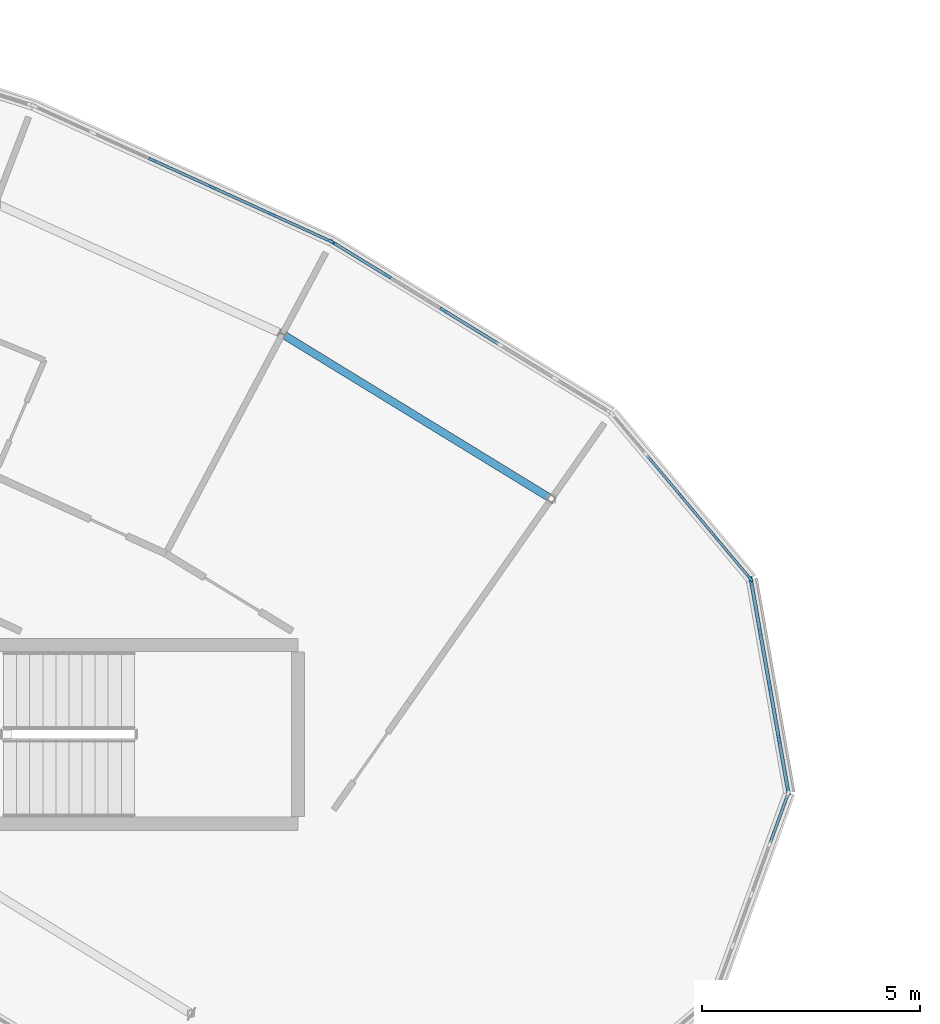
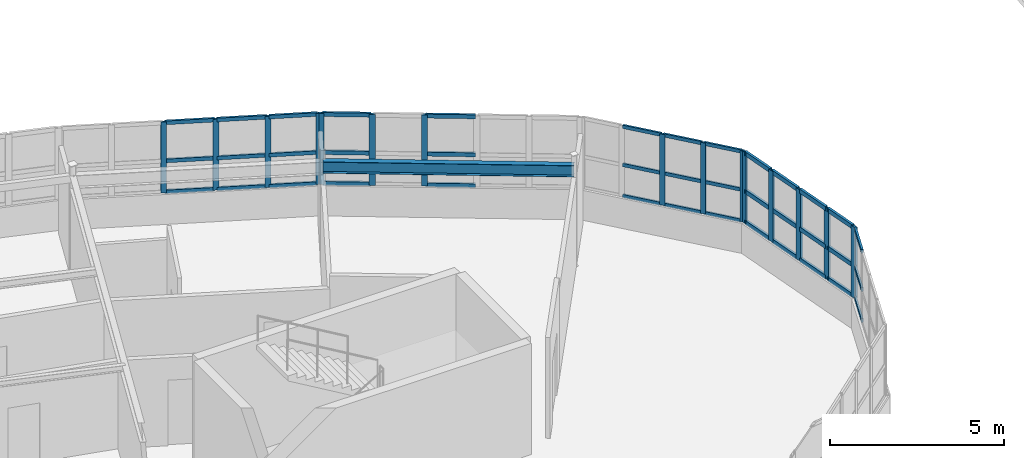
# One storey, part 43 of 79: 54 members, 1 beam, 5 elements without a shape of their own.
"""IFC4 building model written with IfcOpenShell, lengths in metres."""

from ifc_helpers import new_model, si_unit, direction, frame, origin, origin_2d, place, context, subcontext, project, spatial, rectangle, i_section, extrude, material, layer, layer_set, material_profile, profile_set, type_object, element, aggregate, save


model = new_model("IFC4")

# Units and contexts
model_context = context("Model", 3, precision=1e-05, world=origin(), true_north=direction((0.0, 1.0)))
body_context = subcontext(model_context, "Body", "Model", "MODEL_VIEW")
ifc_project = project(units=[si_unit("LENGTHUNIT", "METRE"), si_unit("AREAUNIT", "SQUARE_METRE"), si_unit("VOLUMEUNIT", "CUBIC_METRE"), si_unit("PLANEANGLEUNIT", "RADIAN"), si_unit("MASSUNIT", "GRAM", prefix="KILO")], contexts=[model_context])

# Site, building, storey
site_placement = place(None, origin())
site = spatial("IfcSite", under=ifc_project, at=site_placement, CompositionType="ELEMENT")
building_placement = place(site_placement, origin())
building = spatial("IfcBuilding", under=site, at=building_placement, Name="Tarnwether General Hospital", CompositionType="ELEMENT")
storey_placement = place(building_placement, frame((0.0, 0.0, 18.300048828125)))
storey = spatial("IfcBuildingStorey", under=building, at=storey_placement, Name="L04", CompositionType="ELEMENT", Elevation=18.300048828125)

# Beam
ifc_material_1 = material(Name="Steel Grade 350 (350 MPa)", Category="steel")
ifc_material_profile_1 = material_profile(ifc_material_1, i_section(OverallWidth=0.177978515625, OverallDepth=0.403076171875, WebThickness=0.007568359375, FlangeThickness=0.010986328125, at=origin_2d()), Name="410UB53.7")
ifc_profile_set_1 = profile_set([ifc_material_profile_1], Name="Steel Grade 350 (350 MPa)")
beam_type = type_object("IfcBeamType", Name="BM-SP2", PredefinedType="SPANDREL", material=ifc_profile_set_1)
beam_placement = place(storey_placement, frame((119.79296875, 115.27001953125, 3.3583984375), z_axis=(0.852678430503, -0.522436114902, 0.0), x_axis=(0.522436114902, 0.852678430503, 0.0)))
element("IfcBeam", 1, at=beam_placement, inside=storey, type_object=beam_type, Name="Curved Ward NW Outer Spandrel BMG-L04-11979_11527-12596_11149-1979", PredefinedType="SPANDREL", context=body_context, shape_type="SweptSolid", body=[
    extrude(i_section(OverallWidth=0.177978515625, OverallDepth=0.403076171875, WebThickness=0.007568359375, FlangeThickness=0.010986328125, at=origin_2d()), origin(), (0.0, 0.0, 1.0), 7.22802734375),
])

# Curtain wall, members
ifc_material_2 = material(Name="Anodised aluminium", Category="aluminium")
ifc_layer_1 = layer(ifc_material_2, 0.159912109375)
ifc_layer_set_1 = layer_set([ifc_layer_1], Name="Anodised aluminium")
curtain_wall_type_1 = type_object("IfcCurtainWallType", Name="CW-04", PredefinedType="NOTDEFINED", material=ifc_layer_set_1)
curtain_wall_1_placement = place(storey_placement, origin())
curtain_wall_1 = element("IfcCurtainWall", 2, at=curtain_wall_1_placement, inside=storey, type_object=curtain_wall_type_1, Name="Curtain Wall CWG-L04-1273_1135-0053", PredefinedType="NOTDEFINED")
ifc_material_3 = material(Name="Anodised aluminium", Category="aluminium")
ifc_material_profile_2 = material_profile(ifc_material_3, rectangle(XDim=0.06005859375, YDim=0.159912109375, at=origin_2d()), Name="ALU-MUL-60x160")
ifc_profile_set_2 = profile_set([ifc_material_profile_2], Name="Anodised aluminium")
member_type_1 = type_object("IfcMemberType", Name="CW-ML1", PredefinedType="MULLION", material=ifc_profile_set_2)
member_1_placement = place(storey_placement, frame((128.929443359375, 111.556396484375, 1.050048828125), z_axis=(0.0, 0.0, 1.0), x_axis=(0.765990176896, 0.64285227611, 0.0)))
member_1 = element("IfcMember", 3, at=member_1_placement, type_object=member_type_1, Name="CW-04 mullion 3", PredefinedType="MULLION", context=body_context, shape_type="SweptSolid", body=[
    extrude(rectangle(XDim=0.06005859375, YDim=0.159912109375, at=origin_2d()), origin(), (0.0, 0.0, 1.0), 2.489990234375),
])
member_2_placement = place(storey_placement, frame((129.728271484375, 110.604736328125, 1.050048828125), z_axis=(0.0, 0.0, 1.0), x_axis=(0.765990176896, 0.64285227611, 0.0)))
member_2 = element("IfcMember", 4, at=member_2_placement, type_object=member_type_1, Name="CW-04 mullion 4", PredefinedType="MULLION", context=body_context, shape_type="SweptSolid", body=[
    extrude(rectangle(XDim=0.06005859375, YDim=0.159912109375, at=origin_2d()), origin(), (0.0, 0.0, 1.0), 2.489990234375),
])
member_3_placement = place(storey_placement, frame((130.5078125, 109.676025390625, 1.050048828125), z_axis=(0.0, 0.0, 1.0), x_axis=(0.765990176896, 0.64285227611, 0.0)))
member_3 = element("IfcMember", 5, at=member_3_placement, type_object=member_type_1, Name="CW-04 mullion 5", PredefinedType="MULLION", context=body_context, shape_type="SweptSolid", body=[
    extrude(rectangle(XDim=0.06005859375, YDim=0.159912109375, at=origin_2d()), origin(), (0.0, 0.0, 1.0), 2.489990234375),
])

ifc_material_4 = material(Name="Anodised aluminium", Category="aluminium")
ifc_layer_2 = layer(ifc_material_4, 0.159912109375)
ifc_layer_set_2 = layer_set([ifc_layer_2], Name="Anodised aluminium")
curtain_wall_type_2 = type_object("IfcCurtainWallType", Name="CW-02", PredefinedType="NOTDEFINED", material=ifc_layer_set_2)
curtain_wall_2_placement = place(storey_placement, origin())
curtain_wall_2 = element("IfcCurtainWall", 6, at=curtain_wall_2_placement, inside=storey, type_object=curtain_wall_type_2, Name="Curtain Wall CWG-L04-1209_1174-0054", PredefinedType="NOTDEFINED")
ifc_material_5 = material(Name="Anodised aluminium", Category="aluminium")
ifc_material_profile_3 = material_profile(ifc_material_5, rectangle(XDim=0.070068359375, YDim=0.179931640625, at=origin_2d()), Name="ALU-MUL-70x180")
ifc_profile_set_3 = profile_set([ifc_material_profile_3], Name="Anodised aluminium")
member_type_2 = type_object("IfcMemberType", Name="CW-ML2", PredefinedType="MULLION", material=ifc_profile_set_3)
member_4_placement = place(storey_placement, frame((120.94873046875, 117.371826171875, 1.050048828125), z_axis=(0.0, 0.0, 1.0), x_axis=(0.522509056361, 0.852633734977, 0.0)))
member_4 = element("IfcMember", 7, at=member_4_placement, type_object=member_type_2, Name="CW-02 mullion 1", PredefinedType="MULLION", context=body_context, shape_type="SweptSolid", body=[
    extrude(rectangle(XDim=0.070068359375, YDim=0.179931640625, at=origin_2d()), origin(), (0.0, 0.0, 1.0), 2.489990234375),
])
member_5_placement = place(storey_placement, frame((122.20166015625, 116.60400390625, 1.050048828125), z_axis=(0.0, 0.0, 1.0), x_axis=(0.522509056361, 0.852633734977, 0.0)))
member_5 = element("IfcMember", 8, at=member_5_placement, type_object=member_type_2, Name="CW-02 mullion 2", PredefinedType="MULLION", context=body_context, shape_type="SweptSolid", body=[
    extrude(rectangle(XDim=0.070068359375, YDim=0.179931640625, at=origin_2d()), origin(), (0.0, 0.0, 1.0), 2.489990234375),
])
member_6_placement = place(storey_placement, frame((123.484130859375, 115.818115234375, 1.050048828125), z_axis=(0.0, 0.0, 1.0), x_axis=(0.522509056361, 0.852633734977, 0.0)))
member_6 = element("IfcMember", 9, at=member_6_placement, type_object=member_type_2, Name="CW-02 mullion 3", PredefinedType="MULLION", context=body_context, shape_type="SweptSolid", body=[
    extrude(rectangle(XDim=0.070068359375, YDim=0.179931640625, at=origin_2d()), origin(), (0.0, 0.0, 1.0), 2.489990234375),
])

curtain_wall_3_placement = place(storey_placement, origin())
curtain_wall_3 = element("IfcCurtainWall", 10, at=curtain_wall_3_placement, inside=storey, type_object=curtain_wall_type_2, Name="Curtain Wall CWG-L04-1141_1205-0055", PredefinedType="NOTDEFINED")
ifc_material_6 = material(Name="Anodised aluminium", Category="aluminium")
ifc_material_profile_4 = material_profile(ifc_material_6, rectangle(XDim=0.06494140625, YDim=0.169921875, at=origin_2d()), Name="ALU-MUL-65x170")
ifc_profile_set_4 = profile_set([ifc_material_profile_4], Name="Anodised aluminium")
member_type_3 = type_object("IfcMemberType", Name="CW-ML3", PredefinedType="MULLION", material=ifc_profile_set_4)
member_7_placement = place(storey_placement, frame((116.8125, 119.261474609375, 1.050048828125), z_axis=(0.0, 0.0, 1.0), x_axis=(0.414694289316, 0.909960793886, 0.0)))
member_7 = element("IfcMember", 11, at=member_7_placement, type_object=member_type_3, Name="CW-02 mullion 3", PredefinedType="MULLION", context=body_context, shape_type="SweptSolid", body=[
    extrude(rectangle(XDim=0.06494140625, YDim=0.169921875, at=origin_2d()), origin(), (0.0, 0.0, 1.0), 2.489990234375),
])
member_8_placement = place(storey_placement, frame((118.181396484375, 118.6376953125, 1.050048828125), z_axis=(0.0, 0.0, 1.0), x_axis=(0.414694289316, 0.909960793886, 0.0)))
member_8 = element("IfcMember", 12, at=member_8_placement, type_object=member_type_3, Name="CW-02 mullion 4", PredefinedType="MULLION", context=body_context, shape_type="SweptSolid", body=[
    extrude(rectangle(XDim=0.06494140625, YDim=0.169921875, at=origin_2d()), origin(), (0.0, 0.0, 1.0), 2.489990234375),
])
member_9_placement = place(storey_placement, frame((119.55029296875, 118.013916015625, 1.050048828125), z_axis=(0.0, 0.0, 1.0), x_axis=(0.414694289316, 0.909960793886, 0.0)))
member_9 = element("IfcMember", 13, at=member_9_placement, type_object=member_type_3, Name="CW-02 mullion 5", PredefinedType="MULLION", context=body_context, shape_type="SweptSolid", body=[
    extrude(rectangle(XDim=0.06494140625, YDim=0.169921875, at=origin_2d()), origin(), (0.0, 0.0, 1.0), 2.489990234375),
])
member_10_placement = place(storey_placement, frame((120.889404296875, 117.403564453125, 1.050048828125), z_axis=(0.0, 0.0, 1.0), x_axis=(0.414694289316, 0.909960793886, 0.0)))
member_10 = element("IfcMember", 14, at=member_10_placement, type_object=member_type_3, Name="CW-02 mullion 6", PredefinedType="MULLION", context=body_context, shape_type="SweptSolid", body=[
    extrude(rectangle(XDim=0.06494140625, YDim=0.169921875, at=origin_2d()), origin(), (0.0, 0.0, 1.0), 2.489990234375),
])

curtain_wall_4_placement = place(storey_placement, origin())
curtain_wall_4 = element("IfcCurtainWall", 15, at=curtain_wall_4_placement, inside=storey, type_object=curtain_wall_type_1, Name="Curtain Wall CWG-L04-1305_1097-0052", PredefinedType="NOTDEFINED")
ifc_material_7 = material(Name="Anodised aluminium", Category="aluminium")
ifc_material_profile_5 = material_profile(ifc_material_7, rectangle(XDim=0.080078125, YDim=0.199951171875, at=origin_2d()), Name="ALU-MUL-80x200")
ifc_profile_set_5 = profile_set([ifc_material_profile_5], Name="Anodised aluminium")
member_type_4 = type_object("IfcMemberType", Name="CW-ML4", PredefinedType="MULLION", material=ifc_profile_set_5)
member_11_placement = place(storey_placement, frame((130.533935546875, 109.613525390625, 1.050048828125), z_axis=(0.0, 0.0, 1.0), x_axis=(0.984840230098, 0.173463890135, 0.0)))
member_11 = element("IfcMember", 16, at=member_11_placement, type_object=member_type_4, Name="CW-04 mullion 1", PredefinedType="MULLION", context=body_context, shape_type="SweptSolid", body=[
    extrude(rectangle(XDim=0.080078125, YDim=0.199951171875, at=origin_2d()), origin(), (0.0, 0.0, 1.0), 2.489990234375),
])
member_12_placement = place(storey_placement, frame((130.742431640625, 108.429443359375, 1.050048828125), z_axis=(0.0, 0.0, 1.0), x_axis=(0.984840230098, 0.173463890135, 0.0)))
member_12 = element("IfcMember", 17, at=member_12_placement, type_object=member_type_4, Name="CW-04 mullion 2", PredefinedType="MULLION", context=body_context, shape_type="SweptSolid", body=[
    extrude(rectangle(XDim=0.080078125, YDim=0.199951171875, at=origin_2d()), origin(), (0.0, 0.0, 1.0), 2.489990234375),
])
member_13_placement = place(storey_placement, frame((130.9580078125, 107.2060546875, 1.050048828125), z_axis=(0.0, 0.0, 1.0), x_axis=(0.984840230098, 0.173463890135, 0.0)))
member_13 = element("IfcMember", 18, at=member_13_placement, type_object=member_type_4, Name="CW-04 mullion 3", PredefinedType="MULLION", context=body_context, shape_type="SweptSolid", body=[
    extrude(rectangle(XDim=0.080078125, YDim=0.199951171875, at=origin_2d()), origin(), (0.0, 0.0, 1.0), 2.489990234375),
])
member_14_placement = place(storey_placement, frame((131.173583984375, 105.982421875, 1.050048828125), z_axis=(0.0, 0.0, 1.0), x_axis=(0.984840230098, 0.173463890135, 0.0)))
member_14 = element("IfcMember", 19, at=member_14_placement, type_object=member_type_4, Name="CW-04 mullion 4", PredefinedType="MULLION", context=body_context, shape_type="SweptSolid", body=[
    extrude(rectangle(XDim=0.080078125, YDim=0.199951171875, at=origin_2d()), origin(), (0.0, 0.0, 1.0), 2.489990234375),
])
member_15_placement = place(storey_placement, frame((131.382080078125, 104.79833984375, 1.050048828125), z_axis=(0.0, 0.0, 1.0), x_axis=(0.984840230098, 0.173463890135, 0.0)))
member_15 = element("IfcMember", 20, at=member_15_placement, type_object=member_type_4, Name="CW-04 mullion 5", PredefinedType="MULLION", context=body_context, shape_type="SweptSolid", body=[
    extrude(rectangle(XDim=0.080078125, YDim=0.199951171875, at=origin_2d()), origin(), (0.0, 0.0, 1.0), 2.489990234375),
])

# Member
ifc_material_8 = material(Name="Anodised aluminium", Category="aluminium")
ifc_material_profile_6 = material_profile(ifc_material_8, rectangle(XDim=0.06005859375, YDim=0.1201171875, at=origin_2d()), Name="ALU-TRN-60x120")
ifc_profile_set_6 = profile_set([ifc_material_profile_6], Name="Anodised aluminium")
member_type_5 = type_object("IfcMemberType", Name="CW-TR1", PredefinedType="USERDEFINED", material=ifc_profile_set_6)
member_16_placement = place(storey_placement, frame((128.150146484375, 112.4853515625, 1.079833984375), z_axis=(0.64278038415, -0.766050506006, 0.0), x_axis=(0.766050506006, 0.64278038415, 0.0)))
member_16 = element("IfcMember", 21, at=member_16_placement, type_object=member_type_5, Name="CW-04 transom 2.1", ObjectType="TRANSOM", PredefinedType="USERDEFINED", context=body_context, shape_type="SweptSolid", body=[
    extrude(rectangle(XDim=0.06005859375, YDim=0.1201171875, at=origin_2d()), origin(), (0.0, 0.0, 1.0), 1.182373046875),
])

member_17_placement = place(storey_placement, frame((128.150146484375, 112.4853515625, 2.17041015625), z_axis=(0.64278038415, -0.766050506006, 0.0), x_axis=(0.766050506006, 0.64278038415, 0.0)))
member_17 = element("IfcMember", 22, at=member_17_placement, type_object=member_type_5, Name="CW-04 transom 2.2", ObjectType="TRANSOM", PredefinedType="USERDEFINED", context=body_context, shape_type="SweptSolid", body=[
    extrude(rectangle(XDim=0.06005859375, YDim=0.1201171875, at=origin_2d()), origin(), (0.0, 0.0, 1.0), 1.182373046875),
])

member_18_placement = place(storey_placement, frame((128.150146484375, 112.4853515625, 3.510009765625), z_axis=(0.64278038415, -0.766050506006, 0.0), x_axis=(0.766050506006, 0.64278038415, 0.0)))
member_18 = element("IfcMember", 23, at=member_18_placement, type_object=member_type_5, Name="CW-04 transom 2.3", ObjectType="TRANSOM", PredefinedType="USERDEFINED", context=body_context, shape_type="SweptSolid", body=[
    extrude(rectangle(XDim=0.06005859375, YDim=0.1201171875, at=origin_2d()), origin(), (0.0, 0.0, 1.0), 1.182373046875),
])

member_19_placement = place(storey_placement, frame((128.94873046875, 111.533447265625, 1.079833984375), z_axis=(0.642901530921, -0.765948837417, 0.0), x_axis=(0.765948837417, 0.642901530921, 0.0)))
member_19 = element("IfcMember", 24, at=member_19_placement, type_object=member_type_5, Name="CW-04 transom 3.1", ObjectType="TRANSOM", PredefinedType="USERDEFINED", context=body_context, shape_type="SweptSolid", body=[
    extrude(rectangle(XDim=0.06005859375, YDim=0.1201171875, at=origin_2d()), origin(), (0.0, 0.0, 1.0), 1.1826171875),
])

member_20_placement = place(storey_placement, frame((128.94873046875, 111.533447265625, 2.17041015625), z_axis=(0.642901530921, -0.765948837417, 0.0), x_axis=(0.765948837417, 0.642901530921, 0.0)))
member_20 = element("IfcMember", 25, at=member_20_placement, type_object=member_type_5, Name="CW-04 transom 3.2", ObjectType="TRANSOM", PredefinedType="USERDEFINED", context=body_context, shape_type="SweptSolid", body=[
    extrude(rectangle(XDim=0.06005859375, YDim=0.1201171875, at=origin_2d()), origin(), (0.0, 0.0, 1.0), 1.1826171875),
])

member_21_placement = place(storey_placement, frame((128.94873046875, 111.533447265625, 3.510009765625), z_axis=(0.642901530921, -0.765948837417, 0.0), x_axis=(0.765948837417, 0.642901530921, 0.0)))
member_21 = element("IfcMember", 26, at=member_21_placement, type_object=member_type_5, Name="CW-04 transom 3.3", ObjectType="TRANSOM", PredefinedType="USERDEFINED", context=body_context, shape_type="SweptSolid", body=[
    extrude(rectangle(XDim=0.06005859375, YDim=0.1201171875, at=origin_2d()), origin(), (0.0, 0.0, 1.0), 1.1826171875),
])

member_22_placement = place(storey_placement, frame((129.74755859375, 110.581787109375, 1.079833984375), z_axis=(0.642889003043, -0.765959352555, 0.0), x_axis=(0.765959352555, 0.642889003043, 0.0)))
member_22 = element("IfcMember", 27, at=member_22_placement, type_object=member_type_5, Name="CW-04 transom 4.1", ObjectType="TRANSOM", PredefinedType="USERDEFINED", context=body_context, shape_type="SweptSolid", body=[
    extrude(rectangle(XDim=0.06005859375, YDim=0.1201171875, at=origin_2d()), origin(), (0.0, 0.0, 1.0), 1.152587890625),
])

member_23_placement = place(storey_placement, frame((129.74755859375, 110.581787109375, 2.17041015625), z_axis=(0.642889003043, -0.765959352555, 0.0), x_axis=(0.765959352555, 0.642889003043, 0.0)))
member_23 = element("IfcMember", 28, at=member_23_placement, type_object=member_type_5, Name="CW-04 transom 4.2", ObjectType="TRANSOM", PredefinedType="USERDEFINED", context=body_context, shape_type="SweptSolid", body=[
    extrude(rectangle(XDim=0.06005859375, YDim=0.1201171875, at=origin_2d()), origin(), (0.0, 0.0, 1.0), 1.152587890625),
])

member_24_placement = place(storey_placement, frame((129.74755859375, 110.581787109375, 3.510009765625), z_axis=(0.642889003043, -0.765959352555, 0.0), x_axis=(0.765959352555, 0.642889003043, 0.0)))
member_24 = element("IfcMember", 29, at=member_24_placement, type_object=member_type_5, Name="CW-04 transom 4.3", ObjectType="TRANSOM", PredefinedType="USERDEFINED", context=body_context, shape_type="SweptSolid", body=[
    extrude(rectangle(XDim=0.06005859375, YDim=0.1201171875, at=origin_2d()), origin(), (0.0, 0.0, 1.0), 1.152587890625),
])

aggregate(curtain_wall_1, [member_1, member_2, member_3, member_16, member_17, member_18, member_19, member_20, member_21, member_22, member_23, member_24])

ifc_material_9 = material(Name="Anodised aluminium", Category="aluminium")
ifc_material_profile_7 = material_profile(ifc_material_9, rectangle(XDim=0.070068359375, YDim=0.139892578125, at=origin_2d()), Name="ALU-TRN-70x140")
ifc_profile_set_7 = profile_set([ifc_material_profile_7], Name="Anodised aluminium")
member_type_6 = type_object("IfcMemberType", Name="CW-TR2", PredefinedType="USERDEFINED", material=ifc_profile_set_7)
member_25_placement = place(storey_placement, frame((120.978759765625, 117.353515625, 1.0849609375), z_axis=(0.852621311554, -0.522529328444, 0.0), x_axis=(0.522529328444, 0.852621311554, 0.0)))
member_25 = element("IfcMember", 30, at=member_25_placement, type_object=member_type_6, Name="CW-02 transom 1.1", ObjectType="TRANSOM", PredefinedType="USERDEFINED", context=body_context, shape_type="SweptSolid", body=[
    extrude(rectangle(XDim=0.070068359375, YDim=0.139892578125, at=origin_2d()), origin(), (0.0, 0.0, 1.0), 1.3994140625),
])

member_26_placement = place(storey_placement, frame((120.978759765625, 117.353515625, 2.17041015625), z_axis=(0.852621311554, -0.522529328444, 0.0), x_axis=(0.522529328444, 0.852621311554, 0.0)))
member_26 = element("IfcMember", 31, at=member_26_placement, type_object=member_type_6, Name="CW-02 transom 1.2", ObjectType="TRANSOM", PredefinedType="USERDEFINED", context=body_context, shape_type="SweptSolid", body=[
    extrude(rectangle(XDim=0.070068359375, YDim=0.139892578125, at=origin_2d()), origin(), (0.0, 0.0, 1.0), 1.3994140625),
])

member_27_placement = place(storey_placement, frame((120.978759765625, 117.353515625, 3.5048828125), z_axis=(0.852621311554, -0.522529328444, 0.0), x_axis=(0.522529328444, 0.852621311554, 0.0)))
member_27 = element("IfcMember", 32, at=member_27_placement, type_object=member_type_6, Name="CW-02 transom 1.3", ObjectType="TRANSOM", PredefinedType="USERDEFINED", context=body_context, shape_type="SweptSolid", body=[
    extrude(rectangle(XDim=0.070068359375, YDim=0.139892578125, at=origin_2d()), origin(), (0.0, 0.0, 1.0), 1.3994140625),
])

member_28_placement = place(storey_placement, frame((123.51416015625, 115.7998046875, 1.0849609375), z_axis=(0.85260369875, -0.522558066513, 0.0), x_axis=(0.522558066513, 0.85260369875, 0.0)))
member_28 = element("IfcMember", 33, at=member_28_placement, type_object=member_type_6, Name="CW-02 transom 3.1", ObjectType="TRANSOM", PredefinedType="USERDEFINED", context=body_context, shape_type="SweptSolid", body=[
    extrude(rectangle(XDim=0.070068359375, YDim=0.139892578125, at=origin_2d()), origin(), (0.0, 0.0, 1.0), 1.434326171875),
])

member_29_placement = place(storey_placement, frame((123.51416015625, 115.7998046875, 2.17041015625), z_axis=(0.85260369875, -0.522558066513, 0.0), x_axis=(0.522558066513, 0.85260369875, 0.0)))
member_29 = element("IfcMember", 34, at=member_29_placement, type_object=member_type_6, Name="CW-02 transom 3.2", ObjectType="TRANSOM", PredefinedType="USERDEFINED", context=body_context, shape_type="SweptSolid", body=[
    extrude(rectangle(XDim=0.070068359375, YDim=0.139892578125, at=origin_2d()), origin(), (0.0, 0.0, 1.0), 1.434326171875),
])

member_30_placement = place(storey_placement, frame((123.51416015625, 115.7998046875, 3.5048828125), z_axis=(0.85260369875, -0.522558066513, 0.0), x_axis=(0.522558066513, 0.85260369875, 0.0)))
member_30 = element("IfcMember", 35, at=member_30_placement, type_object=member_type_6, Name="CW-02 transom 3.3", ObjectType="TRANSOM", PredefinedType="USERDEFINED", context=body_context, shape_type="SweptSolid", body=[
    extrude(rectangle(XDim=0.070068359375, YDim=0.139892578125, at=origin_2d()), origin(), (0.0, 0.0, 1.0), 1.434326171875),
])

aggregate(curtain_wall_2, [member_4, member_5, member_6, member_25, member_26, member_27, member_28, member_29, member_30])

# Curtain wall, members
curtain_wall_5_placement = place(storey_placement, origin())
curtain_wall_5 = element("IfcCurtainWall", 36, at=curtain_wall_5_placement, inside=storey, type_object=curtain_wall_type_1, Name="Curtain Wall CWG-L04-1314_1048-0051", PredefinedType="NOTDEFINED")
ifc_material_10 = material(Name="Anodised aluminium", Category="aluminium")
ifc_material_profile_8 = material_profile(ifc_material_10, rectangle(XDim=0.06494140625, YDim=0.1298828125, at=origin_2d()), Name="ALU-TRN-65x130")
ifc_profile_set_8 = profile_set([ifc_material_profile_8], Name="Anodised aluminium")
member_type_7 = type_object("IfcMemberType", Name="CW-TR3", PredefinedType="USERDEFINED", material=ifc_profile_set_8)
member_31_placement = place(storey_placement, frame((131.36669921875, 104.697998046875, 1.08251953125), z_axis=(-0.341897184747, -0.939737364939, 0.0), x_axis=(0.939737364939, -0.341897184747, 0.0)))
member_31 = element("IfcMember", 37, at=member_31_placement, type_object=member_type_7, Name="CW-04 transom 1.1", ObjectType="TRANSOM", PredefinedType="USERDEFINED", context=body_context, shape_type="SweptSolid", body=[
    extrude(rectangle(XDim=0.06494140625, YDim=0.1298828125, at=origin_2d()), origin(), (0.0, 0.0, 1.0), 1.144775390625),
])
member_32_placement = place(storey_placement, frame((131.36669921875, 104.697998046875, 2.17041015625), z_axis=(-0.341897184747, -0.939737364939, 0.0), x_axis=(0.939737364939, -0.341897184747, 0.0)))
member_32 = element("IfcMember", 38, at=member_32_placement, type_object=member_type_7, Name="CW-04 transom 1.2", ObjectType="TRANSOM", PredefinedType="USERDEFINED", context=body_context, shape_type="SweptSolid", body=[
    extrude(rectangle(XDim=0.06494140625, YDim=0.1298828125, at=origin_2d()), origin(), (0.0, 0.0, 1.0), 1.144775390625),
])
member_33_placement = place(storey_placement, frame((131.36669921875, 104.697998046875, 3.507568359375), z_axis=(-0.341897184747, -0.939737364939, 0.0), x_axis=(0.939737364939, -0.341897184747, 0.0)))
member_33 = element("IfcMember", 39, at=member_33_placement, type_object=member_type_7, Name="CW-04 transom 1.3", ObjectType="TRANSOM", PredefinedType="USERDEFINED", context=body_context, shape_type="SweptSolid", body=[
    extrude(rectangle(XDim=0.06494140625, YDim=0.1298828125, at=origin_2d()), origin(), (0.0, 0.0, 1.0), 1.144775390625),
])
aggregate(curtain_wall_5, [member_31, member_32, member_33])

# Member
member_34_placement = place(storey_placement, frame((116.84228515625, 119.247802734375, 1.08251953125), z_axis=(0.909994277716, -0.414620808117, 0.0), x_axis=(0.414620808117, 0.909994277716, 0.0)))
member_34 = element("IfcMember", 40, at=member_34_placement, type_object=member_type_7, Name="CW-02 transom 3.1", ObjectType="TRANSOM", PredefinedType="USERDEFINED", context=body_context, shape_type="SweptSolid", body=[
    extrude(rectangle(XDim=0.06494140625, YDim=0.1298828125, at=origin_2d()), origin(), (0.0, 0.0, 1.0), 1.439208984375),
])

member_35_placement = place(storey_placement, frame((116.84228515625, 119.247802734375, 2.17041015625), z_axis=(0.909994277716, -0.414620808117, 0.0), x_axis=(0.414620808117, 0.909994277716, 0.0)))
member_35 = element("IfcMember", 41, at=member_35_placement, type_object=member_type_7, Name="CW-02 transom 3.2", ObjectType="TRANSOM", PredefinedType="USERDEFINED", context=body_context, shape_type="SweptSolid", body=[
    extrude(rectangle(XDim=0.06494140625, YDim=0.1298828125, at=origin_2d()), origin(), (0.0, 0.0, 1.0), 1.439208984375),
])

member_36_placement = place(storey_placement, frame((116.84228515625, 119.247802734375, 3.507568359375), z_axis=(0.909994277716, -0.414620808117, 0.0), x_axis=(0.414620808117, 0.909994277716, 0.0)))
member_36 = element("IfcMember", 42, at=member_36_placement, type_object=member_type_7, Name="CW-02 transom 3.3", ObjectType="TRANSOM", PredefinedType="USERDEFINED", context=body_context, shape_type="SweptSolid", body=[
    extrude(rectangle(XDim=0.06494140625, YDim=0.1298828125, at=origin_2d()), origin(), (0.0, 0.0, 1.0), 1.439208984375),
])

member_37_placement = place(storey_placement, frame((118.2109375, 118.6240234375, 1.08251953125), z_axis=(0.909994277716, -0.414620808117, 0.0), x_axis=(0.414620808117, 0.909994277716, 0.0)))
member_37 = element("IfcMember", 43, at=member_37_placement, type_object=member_type_7, Name="CW-02 transom 4.1", ObjectType="TRANSOM", PredefinedType="USERDEFINED", context=body_context, shape_type="SweptSolid", body=[
    extrude(rectangle(XDim=0.06494140625, YDim=0.1298828125, at=origin_2d()), origin(), (0.0, 0.0, 1.0), 1.439208984375),
])

member_38_placement = place(storey_placement, frame((118.2109375, 118.6240234375, 2.17041015625), z_axis=(0.909994277716, -0.414620808117, 0.0), x_axis=(0.414620808117, 0.909994277716, 0.0)))
member_38 = element("IfcMember", 44, at=member_38_placement, type_object=member_type_7, Name="CW-02 transom 4.2", ObjectType="TRANSOM", PredefinedType="USERDEFINED", context=body_context, shape_type="SweptSolid", body=[
    extrude(rectangle(XDim=0.06494140625, YDim=0.1298828125, at=origin_2d()), origin(), (0.0, 0.0, 1.0), 1.439208984375),
])

member_39_placement = place(storey_placement, frame((118.2109375, 118.6240234375, 3.507568359375), z_axis=(0.909994277716, -0.414620808117, 0.0), x_axis=(0.414620808117, 0.909994277716, 0.0)))
member_39 = element("IfcMember", 45, at=member_39_placement, type_object=member_type_7, Name="CW-02 transom 4.3", ObjectType="TRANSOM", PredefinedType="USERDEFINED", context=body_context, shape_type="SweptSolid", body=[
    extrude(rectangle(XDim=0.06494140625, YDim=0.1298828125, at=origin_2d()), origin(), (0.0, 0.0, 1.0), 1.439208984375),
])

member_40_placement = place(storey_placement, frame((119.579833984375, 118.000244140625, 1.08251953125), z_axis=(0.909985682868, -0.414639671251, 0.0), x_axis=(0.414639671251, 0.909985682868, 0.0)))
member_40 = element("IfcMember", 46, at=member_40_placement, type_object=member_type_7, Name="CW-02 transom 5.1", ObjectType="TRANSOM", PredefinedType="USERDEFINED", context=body_context, shape_type="SweptSolid", body=[
    extrude(rectangle(XDim=0.06494140625, YDim=0.1298828125, at=origin_2d()), origin(), (0.0, 0.0, 1.0), 1.40673828125),
])

member_41_placement = place(storey_placement, frame((119.579833984375, 118.000244140625, 2.17041015625), z_axis=(0.909985682868, -0.414639671251, 0.0), x_axis=(0.414639671251, 0.909985682868, 0.0)))
member_41 = element("IfcMember", 47, at=member_41_placement, type_object=member_type_7, Name="CW-02 transom 5.2", ObjectType="TRANSOM", PredefinedType="USERDEFINED", context=body_context, shape_type="SweptSolid", body=[
    extrude(rectangle(XDim=0.06494140625, YDim=0.1298828125, at=origin_2d()), origin(), (0.0, 0.0, 1.0), 1.40673828125),
])

member_42_placement = place(storey_placement, frame((119.579833984375, 118.000244140625, 3.507568359375), z_axis=(0.909985682868, -0.414639671251, 0.0), x_axis=(0.414639671251, 0.909985682868, 0.0)))
member_42 = element("IfcMember", 48, at=member_42_placement, type_object=member_type_7, Name="CW-02 transom 5.3", ObjectType="TRANSOM", PredefinedType="USERDEFINED", context=body_context, shape_type="SweptSolid", body=[
    extrude(rectangle(XDim=0.06494140625, YDim=0.1298828125, at=origin_2d()), origin(), (0.0, 0.0, 1.0), 1.40673828125),
])

aggregate(curtain_wall_3, [member_7, member_8, member_9, member_10, member_34, member_35, member_36, member_37, member_38, member_39, member_40, member_41, member_42])

ifc_material_11 = material(Name="Anodised aluminium", Category="aluminium")
ifc_material_profile_9 = material_profile(ifc_material_11, rectangle(XDim=0.080078125, YDim=0.14990234375, at=origin_2d()), Name="ALU-TRN-80x150")
ifc_profile_set_9 = profile_set([ifc_material_profile_9], Name="Anodised aluminium")
member_type_8 = type_object("IfcMemberType", Name="CW-TR4", PredefinedType="USERDEFINED", material=ifc_profile_set_9)
member_43_placement = place(storey_placement, frame((130.540771484375, 109.57421875, 1.08984375), z_axis=(0.173599178383, -0.984816391651, 0.0), x_axis=(0.984816391651, 0.173599178383, 0.0)))
member_43 = element("IfcMember", 49, at=member_43_placement, type_object=member_type_8, Name="CW-04 transom 1.1", ObjectType="TRANSOM", PredefinedType="USERDEFINED", context=body_context, shape_type="SweptSolid", body=[
    extrude(rectangle(XDim=0.080078125, YDim=0.14990234375, at=origin_2d()), origin(), (0.0, 0.0, 1.0), 1.122314453125),
])

member_44_placement = place(storey_placement, frame((130.540771484375, 109.57421875, 2.17041015625), z_axis=(0.173599178383, -0.984816391651, 0.0), x_axis=(0.984816391651, 0.173599178383, 0.0)))
member_44 = element("IfcMember", 50, at=member_44_placement, type_object=member_type_8, Name="CW-04 transom 1.2", ObjectType="TRANSOM", PredefinedType="USERDEFINED", context=body_context, shape_type="SweptSolid", body=[
    extrude(rectangle(XDim=0.080078125, YDim=0.14990234375, at=origin_2d()), origin(), (0.0, 0.0, 1.0), 1.122314453125),
])

member_45_placement = place(storey_placement, frame((130.540771484375, 109.57421875, 3.5), z_axis=(0.173599178383, -0.984816391651, 0.0), x_axis=(0.984816391651, 0.173599178383, 0.0)))
member_45 = element("IfcMember", 51, at=member_45_placement, type_object=member_type_8, Name="CW-04 transom 1.3", ObjectType="TRANSOM", PredefinedType="USERDEFINED", context=body_context, shape_type="SweptSolid", body=[
    extrude(rectangle(XDim=0.080078125, YDim=0.14990234375, at=origin_2d()), origin(), (0.0, 0.0, 1.0), 1.122314453125),
])

member_46_placement = place(storey_placement, frame((130.74951171875, 108.39013671875, 1.08984375), z_axis=(0.173485784706, -0.984836373468, 0.0), x_axis=(0.984836373468, 0.173485784706, 0.0)))
member_46 = element("IfcMember", 52, at=member_46_placement, type_object=member_type_8, Name="CW-04 transom 2.1", ObjectType="TRANSOM", PredefinedType="USERDEFINED", context=body_context, shape_type="SweptSolid", body=[
    extrude(rectangle(XDim=0.080078125, YDim=0.14990234375, at=origin_2d()), origin(), (0.0, 0.0, 1.0), 1.162353515625),
])

member_47_placement = place(storey_placement, frame((130.74951171875, 108.39013671875, 2.17041015625), z_axis=(0.173485784706, -0.984836373468, 0.0), x_axis=(0.984836373468, 0.173485784706, 0.0)))
member_47 = element("IfcMember", 53, at=member_47_placement, type_object=member_type_8, Name="CW-04 transom 2.2", ObjectType="TRANSOM", PredefinedType="USERDEFINED", context=body_context, shape_type="SweptSolid", body=[
    extrude(rectangle(XDim=0.080078125, YDim=0.14990234375, at=origin_2d()), origin(), (0.0, 0.0, 1.0), 1.162353515625),
])

member_48_placement = place(storey_placement, frame((130.74951171875, 108.39013671875, 3.5), z_axis=(0.173485784706, -0.984836373468, 0.0), x_axis=(0.984836373468, 0.173485784706, 0.0)))
member_48 = element("IfcMember", 54, at=member_48_placement, type_object=member_type_8, Name="CW-04 transom 2.3", ObjectType="TRANSOM", PredefinedType="USERDEFINED", context=body_context, shape_type="SweptSolid", body=[
    extrude(rectangle(XDim=0.080078125, YDim=0.14990234375, at=origin_2d()), origin(), (0.0, 0.0, 1.0), 1.162353515625),
])

member_49_placement = place(storey_placement, frame((130.96484375, 107.16650390625, 1.08984375), z_axis=(0.173521676921, -0.98483005013, 0.0), x_axis=(0.98483005013, 0.173521676921, 0.0)))
member_49 = element("IfcMember", 55, at=member_49_placement, type_object=member_type_8, Name="CW-04 transom 3.1", ObjectType="TRANSOM", PredefinedType="USERDEFINED", context=body_context, shape_type="SweptSolid", body=[
    extrude(rectangle(XDim=0.080078125, YDim=0.14990234375, at=origin_2d()), origin(), (0.0, 0.0, 1.0), 1.162109375),
])

member_50_placement = place(storey_placement, frame((130.96484375, 107.16650390625, 2.17041015625), z_axis=(0.173521676921, -0.98483005013, 0.0), x_axis=(0.98483005013, 0.173521676921, 0.0)))
member_50 = element("IfcMember", 56, at=member_50_placement, type_object=member_type_8, Name="CW-04 transom 3.2", ObjectType="TRANSOM", PredefinedType="USERDEFINED", context=body_context, shape_type="SweptSolid", body=[
    extrude(rectangle(XDim=0.080078125, YDim=0.14990234375, at=origin_2d()), origin(), (0.0, 0.0, 1.0), 1.162109375),
])

member_51_placement = place(storey_placement, frame((130.96484375, 107.16650390625, 3.5), z_axis=(0.173521676921, -0.98483005013, 0.0), x_axis=(0.98483005013, 0.173521676921, 0.0)))
member_51 = element("IfcMember", 57, at=member_51_placement, type_object=member_type_8, Name="CW-04 transom 3.3", ObjectType="TRANSOM", PredefinedType="USERDEFINED", context=body_context, shape_type="SweptSolid", body=[
    extrude(rectangle(XDim=0.080078125, YDim=0.14990234375, at=origin_2d()), origin(), (0.0, 0.0, 1.0), 1.162109375),
])

member_52_placement = place(storey_placement, frame((131.180419921875, 105.943115234375, 1.08984375), z_axis=(0.173599178383, -0.984816391651, 0.0), x_axis=(0.984816391651, 0.173599178383, 0.0)))
member_52 = element("IfcMember", 58, at=member_52_placement, type_object=member_type_8, Name="CW-04 transom 4.1", ObjectType="TRANSOM", PredefinedType="USERDEFINED", context=body_context, shape_type="SweptSolid", body=[
    extrude(rectangle(XDim=0.080078125, YDim=0.14990234375, at=origin_2d()), origin(), (0.0, 0.0, 1.0), 1.122314453125),
])

member_53_placement = place(storey_placement, frame((131.180419921875, 105.943115234375, 2.17041015625), z_axis=(0.173599178383, -0.984816391651, 0.0), x_axis=(0.984816391651, 0.173599178383, 0.0)))
member_53 = element("IfcMember", 59, at=member_53_placement, type_object=member_type_8, Name="CW-04 transom 4.2", ObjectType="TRANSOM", PredefinedType="USERDEFINED", context=body_context, shape_type="SweptSolid", body=[
    extrude(rectangle(XDim=0.080078125, YDim=0.14990234375, at=origin_2d()), origin(), (0.0, 0.0, 1.0), 1.122314453125),
])

member_54_placement = place(storey_placement, frame((131.180419921875, 105.943115234375, 3.5), z_axis=(0.173599178383, -0.984816391651, 0.0), x_axis=(0.984816391651, 0.173599178383, 0.0)))
member_54 = element("IfcMember", 60, at=member_54_placement, type_object=member_type_8, Name="CW-04 transom 4.3", ObjectType="TRANSOM", PredefinedType="USERDEFINED", context=body_context, shape_type="SweptSolid", body=[
    extrude(rectangle(XDim=0.080078125, YDim=0.14990234375, at=origin_2d()), origin(), (0.0, 0.0, 1.0), 1.122314453125),
])

aggregate(curtain_wall_4, [member_11, member_12, member_13, member_14, member_15, member_43, member_44, member_45, member_46, member_47, member_48, member_49, member_50, member_51, member_52, member_53, member_54])

save(model, "model.ifc")
